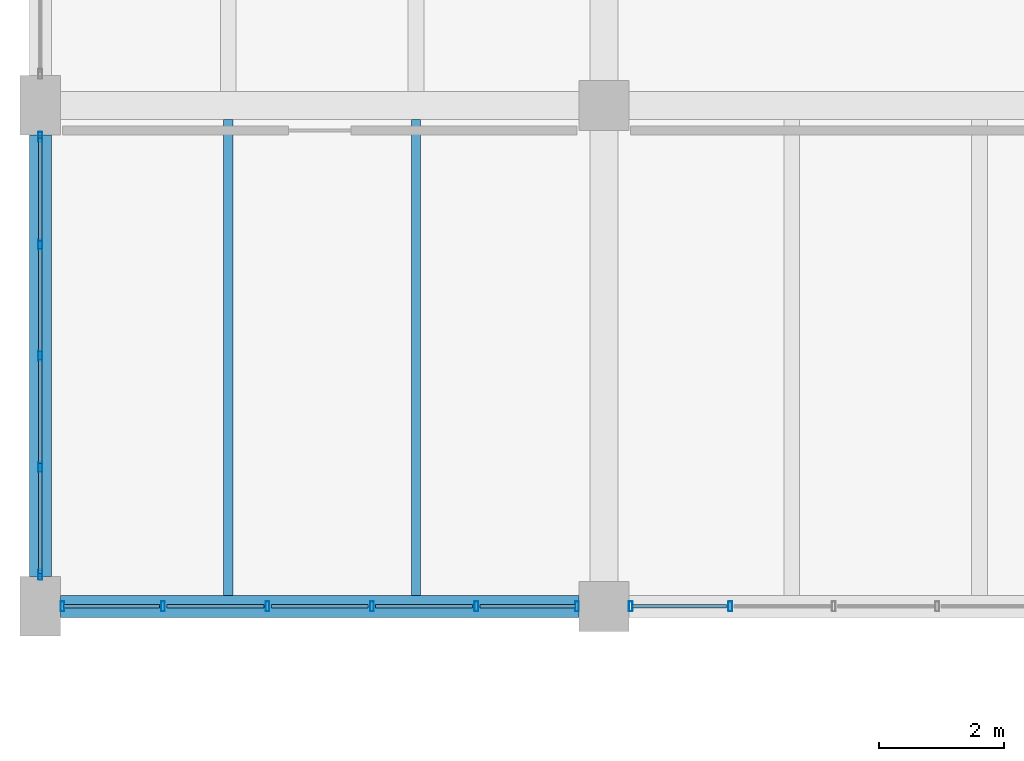
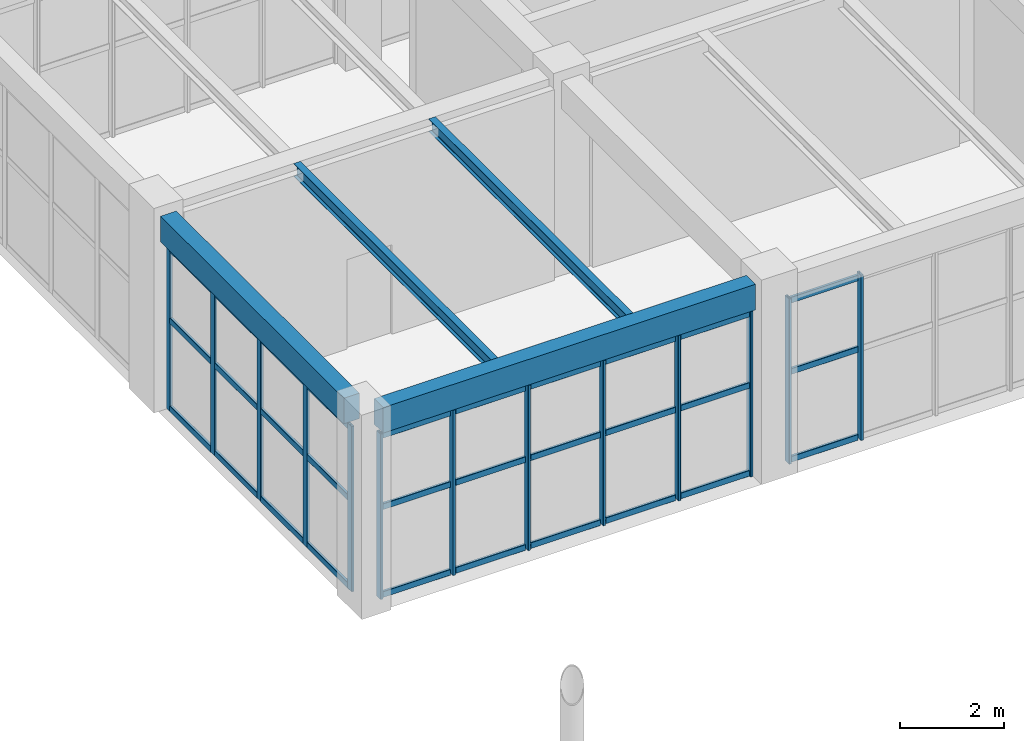
# One storey, part 80 of 178: 43 members, 4 beams, 3 elements without a shape of their own.
"""IFC4 building model written with IfcOpenShell, lengths in metres."""

from ifc_helpers import new_model, si_unit, derived_unit, direction, frame, origin, origin_2d, place, context, subcontext, project, spatial, rectangle, hollow_rectangle, i_section, extrude, material, material_profile, profile_set, type_object, element, aggregate, save


model = new_model("IFC4")

# Units and contexts
model_context = context("Model", 3, precision=1e-05, world=origin(), true_north=direction((0.0, 1.0)))
body_context = subcontext(model_context, "Body", "Model", "MODEL_VIEW")
ifc_project = project(units=[si_unit("LENGTHUNIT", "METRE"), si_unit("AREAUNIT", "SQUARE_METRE"), si_unit("VOLUMEUNIT", "CUBIC_METRE"), si_unit("PLANEANGLEUNIT", "RADIAN"), si_unit("MASSUNIT", "GRAM", prefix="KILO"), derived_unit("THERMALTRANSMITTANCEUNIT", [(si_unit("MASSUNIT", "GRAM", prefix="KILO"), 1), (si_unit("TIMEUNIT", "SECOND"), -3), (si_unit("THERMODYNAMICTEMPERATUREUNIT", "KELVIN"), -1)])], contexts=[model_context])

# Site, building, storey
site_placement = place(None, origin())
site = spatial("IfcSite", under=ifc_project, at=site_placement, CompositionType="ELEMENT")
building_placement = place(site_placement, origin())
building = spatial("IfcBuilding", under=site, at=building_placement, Name="Zhenchuan Archway Interchange", CompositionType="ELEMENT")
storey_placement = place(building_placement, frame((0.0, 0.0, 5.39990234375)))
storey = spatial("IfcBuildingStorey", under=building, at=storey_placement, Name="L01", CompositionType="ELEMENT", Elevation=5.39990234375)

# Curtain wall, members
ifc_material_1 = material(Name="Anodised Aluminium", Category="aluminium")
curtain_wall_type_1 = type_object("IfcCurtainWallType", Name="CW_UNIT_2", PredefinedType="NOTDEFINED", material=ifc_material_1)
curtain_wall_1_placement = place(storey_placement, origin())
curtain_wall_1 = element("IfcCurtainWall", 1, at=curtain_wall_1_placement, inside=storey, type_object=curtain_wall_type_1, Name="Unitised curtain wall CW:L01:041", PredefinedType="NOTDEFINED")
ifc_material_profile_1 = material_profile(ifc_material_1, hollow_rectangle(XDim=0.06005859375, YDim=0.159912109375, WallThickness=0.00390625, InnerFilletRadius=0.00390625, OuterFilletRadius=0.008056640625, at=origin_2d()), Name="ALU 160x60x4")
ifc_profile_set_1 = profile_set([ifc_material_profile_1], Name="Anodised Aluminium")
member_type_1 = type_object("IfcMemberType", Name="CW_MUL_150", PredefinedType="MULLION", material=ifc_profile_set_1)
member_1_placement = place(storey_placement, frame((11.020751953125, 96.0, 0.0), z_axis=(0.0, 0.0, 1.0), x_axis=(1.0, 0.0, 0.0)))
member_1 = element("IfcMember", 2, at=member_1_placement, type_object=member_type_1, Name="CW:L01:041 mullion 4", PredefinedType="MULLION", context=body_context, shape_type="SweptSolid", body=[
    extrude(hollow_rectangle(XDim=0.06005859375, YDim=0.159912109375, WallThickness=0.00390625, InnerFilletRadius=0.00390625, OuterFilletRadius=0.008056640625, at=origin_2d()), origin(), (0.0, 0.0, 1.0), 3.880126953125),
])
member_2_placement = place(storey_placement, frame((9.427978515625, 96.0, 0.0), z_axis=(0.0, 0.0, 1.0), x_axis=(1.0, 0.0, 0.0)))
member_2 = element("IfcMember", 3, at=member_2_placement, type_object=member_type_1, Name="CW:L01:041 mullion 5", PredefinedType="MULLION", context=body_context, shape_type="SweptSolid", body=[
    extrude(hollow_rectangle(XDim=0.06005859375, YDim=0.159912109375, WallThickness=0.00390625, InnerFilletRadius=0.00390625, OuterFilletRadius=0.008056640625, at=origin_2d()), origin(), (0.0, 0.0, 1.0), 3.880126953125),
])

curtain_wall_type_2 = type_object("IfcCurtainWallType", Name="CW_UNIT_3", PredefinedType="NOTDEFINED", material=ifc_material_1)
curtain_wall_2_placement = place(storey_placement, origin())
curtain_wall_2 = element("IfcCurtainWall", 4, at=curtain_wall_2_placement, inside=storey, type_object=curtain_wall_type_2, Name="Unitised curtain wall CW:L01:042", PredefinedType="NOTDEFINED")
member_3_placement = place(storey_placement, frame((8.572021484375, 96.0, 0.0), z_axis=(0.0, 0.0, 1.0), x_axis=(1.0, 0.0, 0.0)))
member_3 = element("IfcMember", 5, at=member_3_placement, type_object=member_type_1, Name="CW:L01:042 mullion 0", PredefinedType="MULLION", context=body_context, shape_type="SweptSolid", body=[
    extrude(hollow_rectangle(XDim=0.06005859375, YDim=0.159912109375, WallThickness=0.00390625, InnerFilletRadius=0.00390625, OuterFilletRadius=0.008056640625, at=origin_2d()), origin(), (0.0, 0.0, 1.0), 3.880126953125),
])
member_4_placement = place(storey_placement, frame((6.964111328125, 96.0, 0.0), z_axis=(0.0, 0.0, 1.0), x_axis=(1.0, 0.0, 0.0)))
member_4 = element("IfcMember", 6, at=member_4_placement, type_object=member_type_1, Name="CW:L01:042 mullion 1", PredefinedType="MULLION", context=body_context, shape_type="SweptSolid", body=[
    extrude(hollow_rectangle(XDim=0.06005859375, YDim=0.159912109375, WallThickness=0.00390625, InnerFilletRadius=0.00390625, OuterFilletRadius=0.008056640625, at=origin_2d()), origin(), (0.0, 0.0, 1.0), 3.880126953125),
])
member_5_placement = place(storey_placement, frame((5.29638671875, 96.0, 0.0), z_axis=(0.0, 0.0, 1.0), x_axis=(1.0, 0.0, 0.0)))
member_5 = element("IfcMember", 7, at=member_5_placement, type_object=member_type_1, Name="CW:L01:042 mullion 2", PredefinedType="MULLION", context=body_context, shape_type="SweptSolid", body=[
    extrude(hollow_rectangle(XDim=0.06005859375, YDim=0.159912109375, WallThickness=0.00390625, InnerFilletRadius=0.00390625, OuterFilletRadius=0.008056640625, at=origin_2d()), origin(), (0.0, 0.0, 1.0), 3.880126953125),
])
member_6_placement = place(storey_placement, frame((3.628662109375, 96.0, 0.0), z_axis=(0.0, 0.0, 1.0), x_axis=(1.0, 0.0, 0.0)))
member_6 = element("IfcMember", 8, at=member_6_placement, type_object=member_type_1, Name="CW:L01:042 mullion 3", PredefinedType="MULLION", context=body_context, shape_type="SweptSolid", body=[
    extrude(hollow_rectangle(XDim=0.06005859375, YDim=0.159912109375, WallThickness=0.00390625, InnerFilletRadius=0.00390625, OuterFilletRadius=0.008056640625, at=origin_2d()), origin(), (0.0, 0.0, 1.0), 3.880126953125),
])
member_7_placement = place(storey_placement, frame((1.960693359375, 96.0, 0.0), z_axis=(0.0, 0.0, 1.0), x_axis=(1.0, 0.0, 0.0)))
member_7 = element("IfcMember", 9, at=member_7_placement, type_object=member_type_1, Name="CW:L01:042 mullion 4", PredefinedType="MULLION", context=body_context, shape_type="SweptSolid", body=[
    extrude(hollow_rectangle(XDim=0.06005859375, YDim=0.159912109375, WallThickness=0.00390625, InnerFilletRadius=0.00390625, OuterFilletRadius=0.008056640625, at=origin_2d()), origin(), (0.0, 0.0, 1.0), 3.880126953125),
])
member_8_placement = place(storey_placement, frame((0.35302734375, 96.0, 0.0), z_axis=(0.0, 0.0, 1.0), x_axis=(1.0, 0.0, 0.0)))
member_8 = element("IfcMember", 10, at=member_8_placement, type_object=member_type_1, Name="CW:L01:042 mullion 5", PredefinedType="MULLION", context=body_context, shape_type="SweptSolid", body=[
    extrude(hollow_rectangle(XDim=0.06005859375, YDim=0.159912109375, WallThickness=0.00390625, InnerFilletRadius=0.00390625, OuterFilletRadius=0.008056640625, at=origin_2d()), origin(), (0.0, 0.0, 1.0), 3.880126953125),
])

curtain_wall_type_3 = type_object("IfcCurtainWallType", Name="CW_UNIT_4", PredefinedType="NOTDEFINED", material=ifc_material_1)
curtain_wall_3_placement = place(storey_placement, origin())
curtain_wall_3 = element("IfcCurtainWall", 11, at=curtain_wall_3_placement, inside=storey, type_object=curtain_wall_type_3, Name="Unitised curtain wall CW:L01:043", PredefinedType="NOTDEFINED")
member_9_placement = place(storey_placement, frame((0.0, 96.5029296875, 0.0), z_axis=(0.0, 0.0, 1.0), x_axis=(1.0, 0.0, 0.0)))
member_9 = element("IfcMember", 12, at=member_9_placement, type_object=member_type_1, Name="CW:L01:043 mullion 0", PredefinedType="MULLION", context=body_context, shape_type="SweptSolid", body=[
    extrude(hollow_rectangle(XDim=0.06005859375, YDim=0.159912109375, WallThickness=0.00390625, InnerFilletRadius=0.00390625, OuterFilletRadius=0.008056640625, at=origin_2d()), origin(), (0.0, 0.0, 1.0), 3.880126953125),
])
member_10_placement = place(storey_placement, frame((0.0, 98.221435546875, 0.0), z_axis=(0.0, 0.0, 1.0), x_axis=(1.0, 0.0, 0.0)))
member_10 = element("IfcMember", 13, at=member_10_placement, type_object=member_type_1, Name="CW:L01:043 mullion 1", PredefinedType="MULLION", context=body_context, shape_type="SweptSolid", body=[
    extrude(hollow_rectangle(XDim=0.06005859375, YDim=0.159912109375, WallThickness=0.00390625, InnerFilletRadius=0.00390625, OuterFilletRadius=0.008056640625, at=origin_2d()), origin(), (0.0, 0.0, 1.0), 3.880126953125),
])
member_11_placement = place(storey_placement, frame((0.0, 100.0, 0.0), z_axis=(0.0, 0.0, 1.0), x_axis=(1.0, 0.0, 0.0)))
member_11 = element("IfcMember", 14, at=member_11_placement, type_object=member_type_1, Name="CW:L01:043 mullion 2", PredefinedType="MULLION", context=body_context, shape_type="SweptSolid", body=[
    extrude(hollow_rectangle(XDim=0.06005859375, YDim=0.159912109375, WallThickness=0.00390625, InnerFilletRadius=0.00390625, OuterFilletRadius=0.008056640625, at=origin_2d()), origin(), (0.0, 0.0, 1.0), 3.880126953125),
])
member_12_placement = place(storey_placement, frame((0.0, 101.778564453125, 0.0), z_axis=(0.0, 0.0, 1.0), x_axis=(1.0, 0.0, 0.0)))
member_12 = element("IfcMember", 15, at=member_12_placement, type_object=member_type_1, Name="CW:L01:043 mullion 3", PredefinedType="MULLION", context=body_context, shape_type="SweptSolid", body=[
    extrude(hollow_rectangle(XDim=0.06005859375, YDim=0.159912109375, WallThickness=0.00390625, InnerFilletRadius=0.00390625, OuterFilletRadius=0.008056640625, at=origin_2d()), origin(), (0.0, 0.0, 1.0), 3.880126953125),
])
member_13_placement = place(storey_placement, frame((0.0, 103.4970703125, 0.0), z_axis=(0.0, 0.0, 1.0), x_axis=(1.0, 0.0, 0.0)))
member_13 = element("IfcMember", 16, at=member_13_placement, type_object=member_type_1, Name="CW:L01:043 mullion 4", PredefinedType="MULLION", context=body_context, shape_type="SweptSolid", body=[
    extrude(hollow_rectangle(XDim=0.06005859375, YDim=0.159912109375, WallThickness=0.00390625, InnerFilletRadius=0.00390625, OuterFilletRadius=0.008056640625, at=origin_2d()), origin(), (0.0, 0.0, 1.0), 3.880126953125),
])

# Member
ifc_material_profile_2 = material_profile(ifc_material_1, hollow_rectangle(XDim=0.06005859375, YDim=0.139892578125, WallThickness=0.00341796875, InnerFilletRadius=0.00341796875, OuterFilletRadius=0.007080078125, at=origin_2d()), Name="ALU 140x60x3.5")
ifc_profile_set_2 = profile_set([ifc_material_profile_2], Name="Anodised Aluminium")
member_type_2 = type_object("IfcMemberType", Name="CW_TRN_140", PredefinedType="USERDEFINED", material=ifc_profile_set_2)
member_14_placement = place(storey_placement, frame((10.960693359375, 96.0, 0.06005859375), z_axis=(-1.0, 0.0, 0.0), x_axis=(0.0, -1.0, 0.0)))
member_14 = element("IfcMember", 17, at=member_14_placement, type_object=member_type_2, Name="CW:L01:041 transom 4-1", ObjectType="TRANSOM", PredefinedType="USERDEFINED", context=body_context, shape_type="SweptSolid", body=[
    extrude(hollow_rectangle(XDim=0.06005859375, YDim=0.139892578125, WallThickness=0.00341796875, InnerFilletRadius=0.00341796875, OuterFilletRadius=0.007080078125, at=origin_2d()), origin(), (0.0, 0.0, 1.0), 1.5126953125),
])

member_15_placement = place(storey_placement, frame((10.960693359375, 96.0, 2.123046875), z_axis=(-1.0, 0.0, 0.0), x_axis=(0.0, -1.0, 0.0)))
member_15 = element("IfcMember", 18, at=member_15_placement, type_object=member_type_2, Name="CW:L01:041 transom 4-2", ObjectType="TRANSOM", PredefinedType="USERDEFINED", context=body_context, shape_type="SweptSolid", body=[
    extrude(hollow_rectangle(XDim=0.06005859375, YDim=0.139892578125, WallThickness=0.00341796875, InnerFilletRadius=0.00341796875, OuterFilletRadius=0.007080078125, at=origin_2d()), origin(), (0.0, 0.0, 1.0), 1.5126953125),
])

member_16_placement = place(storey_placement, frame((10.960693359375, 96.0, 3.800048828125), z_axis=(-1.0, 0.0, 0.0), x_axis=(0.0, -1.0, 0.0)))
member_16 = element("IfcMember", 19, at=member_16_placement, type_object=member_type_2, Name="CW:L01:041 transom 4-3", ObjectType="TRANSOM", PredefinedType="USERDEFINED", context=body_context, shape_type="SweptSolid", body=[
    extrude(hollow_rectangle(XDim=0.06005859375, YDim=0.139892578125, WallThickness=0.00341796875, InnerFilletRadius=0.00341796875, OuterFilletRadius=0.007080078125, at=origin_2d()), origin(), (0.0, 0.0, 1.0), 1.5126953125),
])

aggregate(curtain_wall_1, [member_1, member_2, member_14, member_15, member_16])

member_17_placement = place(storey_placement, frame((8.552001953125, 96.0, 0.06005859375), z_axis=(-1.0, 0.0, 0.0), x_axis=(0.0, -1.0, 0.0)))
member_17 = element("IfcMember", 20, at=member_17_placement, type_object=member_type_2, Name="CW:L01:042 transom 0-1", ObjectType="TRANSOM", PredefinedType="USERDEFINED", context=body_context, shape_type="SweptSolid", body=[
    extrude(hollow_rectangle(XDim=0.06005859375, YDim=0.139892578125, WallThickness=0.00341796875, InnerFilletRadius=0.00341796875, OuterFilletRadius=0.007080078125, at=origin_2d()), origin(), (0.0, 0.0, 1.0), 1.52783203125),
])

member_18_placement = place(storey_placement, frame((8.552001953125, 96.0, 2.123046875), z_axis=(-1.0, 0.0, 0.0), x_axis=(0.0, -1.0, 0.0)))
member_18 = element("IfcMember", 21, at=member_18_placement, type_object=member_type_2, Name="CW:L01:042 transom 0-2", ObjectType="TRANSOM", PredefinedType="USERDEFINED", context=body_context, shape_type="SweptSolid", body=[
    extrude(hollow_rectangle(XDim=0.06005859375, YDim=0.139892578125, WallThickness=0.00341796875, InnerFilletRadius=0.00341796875, OuterFilletRadius=0.007080078125, at=origin_2d()), origin(), (0.0, 0.0, 1.0), 1.52783203125),
])

member_19_placement = place(storey_placement, frame((8.552001953125, 96.0, 3.800048828125), z_axis=(-1.0, 0.0, 0.0), x_axis=(0.0, -1.0, 0.0)))
member_19 = element("IfcMember", 22, at=member_19_placement, type_object=member_type_2, Name="CW:L01:042 transom 0-3", ObjectType="TRANSOM", PredefinedType="USERDEFINED", context=body_context, shape_type="SweptSolid", body=[
    extrude(hollow_rectangle(XDim=0.06005859375, YDim=0.139892578125, WallThickness=0.00341796875, InnerFilletRadius=0.00341796875, OuterFilletRadius=0.007080078125, at=origin_2d()), origin(), (0.0, 0.0, 1.0), 1.52783203125),
])

member_20_placement = place(storey_placement, frame((6.904296875, 96.0, 0.06005859375), z_axis=(-1.0, 0.0, 0.0), x_axis=(0.0, -1.0, 0.0)))
member_20 = element("IfcMember", 23, at=member_20_placement, type_object=member_type_2, Name="CW:L01:042 transom 1-1", ObjectType="TRANSOM", PredefinedType="USERDEFINED", context=body_context, shape_type="SweptSolid", body=[
    extrude(hollow_rectangle(XDim=0.06005859375, YDim=0.139892578125, WallThickness=0.00341796875, InnerFilletRadius=0.00341796875, OuterFilletRadius=0.007080078125, at=origin_2d()), origin(), (0.0, 0.0, 1.0), 1.5478515625),
])

member_21_placement = place(storey_placement, frame((6.904296875, 96.0, 2.123046875), z_axis=(-1.0, 0.0, 0.0), x_axis=(0.0, -1.0, 0.0)))
member_21 = element("IfcMember", 24, at=member_21_placement, type_object=member_type_2, Name="CW:L01:042 transom 1-2", ObjectType="TRANSOM", PredefinedType="USERDEFINED", context=body_context, shape_type="SweptSolid", body=[
    extrude(hollow_rectangle(XDim=0.06005859375, YDim=0.139892578125, WallThickness=0.00341796875, InnerFilletRadius=0.00341796875, OuterFilletRadius=0.007080078125, at=origin_2d()), origin(), (0.0, 0.0, 1.0), 1.5478515625),
])

member_22_placement = place(storey_placement, frame((6.904296875, 96.0, 3.800048828125), z_axis=(-1.0, 0.0, 0.0), x_axis=(0.0, -1.0, 0.0)))
member_22 = element("IfcMember", 25, at=member_22_placement, type_object=member_type_2, Name="CW:L01:042 transom 1-3", ObjectType="TRANSOM", PredefinedType="USERDEFINED", context=body_context, shape_type="SweptSolid", body=[
    extrude(hollow_rectangle(XDim=0.06005859375, YDim=0.139892578125, WallThickness=0.00341796875, InnerFilletRadius=0.00341796875, OuterFilletRadius=0.007080078125, at=origin_2d()), origin(), (0.0, 0.0, 1.0), 1.5478515625),
])

member_23_placement = place(storey_placement, frame((5.236328125, 96.0, 0.06005859375), z_axis=(-1.0, 0.0, 0.0), x_axis=(0.0, -1.0, 0.0)))
member_23 = element("IfcMember", 26, at=member_23_placement, type_object=member_type_2, Name="CW:L01:042 transom 2-1", ObjectType="TRANSOM", PredefinedType="USERDEFINED", context=body_context, shape_type="SweptSolid", body=[
    extrude(hollow_rectangle(XDim=0.06005859375, YDim=0.139892578125, WallThickness=0.00341796875, InnerFilletRadius=0.00341796875, OuterFilletRadius=0.007080078125, at=origin_2d()), origin(), (0.0, 0.0, 1.0), 1.547607421875),
])

member_24_placement = place(storey_placement, frame((5.236328125, 96.0, 2.123046875), z_axis=(-1.0, 0.0, 0.0), x_axis=(0.0, -1.0, 0.0)))
member_24 = element("IfcMember", 27, at=member_24_placement, type_object=member_type_2, Name="CW:L01:042 transom 2-2", ObjectType="TRANSOM", PredefinedType="USERDEFINED", context=body_context, shape_type="SweptSolid", body=[
    extrude(hollow_rectangle(XDim=0.06005859375, YDim=0.139892578125, WallThickness=0.00341796875, InnerFilletRadius=0.00341796875, OuterFilletRadius=0.007080078125, at=origin_2d()), origin(), (0.0, 0.0, 1.0), 1.547607421875),
])

member_25_placement = place(storey_placement, frame((5.236328125, 96.0, 3.800048828125), z_axis=(-1.0, 0.0, 0.0), x_axis=(0.0, -1.0, 0.0)))
member_25 = element("IfcMember", 28, at=member_25_placement, type_object=member_type_2, Name="CW:L01:042 transom 2-3", ObjectType="TRANSOM", PredefinedType="USERDEFINED", context=body_context, shape_type="SweptSolid", body=[
    extrude(hollow_rectangle(XDim=0.06005859375, YDim=0.139892578125, WallThickness=0.00341796875, InnerFilletRadius=0.00341796875, OuterFilletRadius=0.007080078125, at=origin_2d()), origin(), (0.0, 0.0, 1.0), 1.547607421875),
])

member_26_placement = place(storey_placement, frame((3.568603515625, 96.0, 0.06005859375), z_axis=(-1.0, 0.0, 0.0), x_axis=(0.0, -1.0, 0.0)))
member_26 = element("IfcMember", 29, at=member_26_placement, type_object=member_type_2, Name="CW:L01:042 transom 3-1", ObjectType="TRANSOM", PredefinedType="USERDEFINED", context=body_context, shape_type="SweptSolid", body=[
    extrude(hollow_rectangle(XDim=0.06005859375, YDim=0.139892578125, WallThickness=0.00341796875, InnerFilletRadius=0.00341796875, OuterFilletRadius=0.007080078125, at=origin_2d()), origin(), (0.0, 0.0, 1.0), 1.5478515625),
])

member_27_placement = place(storey_placement, frame((3.568603515625, 96.0, 2.123046875), z_axis=(-1.0, 0.0, 0.0), x_axis=(0.0, -1.0, 0.0)))
member_27 = element("IfcMember", 30, at=member_27_placement, type_object=member_type_2, Name="CW:L01:042 transom 3-2", ObjectType="TRANSOM", PredefinedType="USERDEFINED", context=body_context, shape_type="SweptSolid", body=[
    extrude(hollow_rectangle(XDim=0.06005859375, YDim=0.139892578125, WallThickness=0.00341796875, InnerFilletRadius=0.00341796875, OuterFilletRadius=0.007080078125, at=origin_2d()), origin(), (0.0, 0.0, 1.0), 1.5478515625),
])

member_28_placement = place(storey_placement, frame((3.568603515625, 96.0, 3.800048828125), z_axis=(-1.0, 0.0, 0.0), x_axis=(0.0, -1.0, 0.0)))
member_28 = element("IfcMember", 31, at=member_28_placement, type_object=member_type_2, Name="CW:L01:042 transom 3-3", ObjectType="TRANSOM", PredefinedType="USERDEFINED", context=body_context, shape_type="SweptSolid", body=[
    extrude(hollow_rectangle(XDim=0.06005859375, YDim=0.139892578125, WallThickness=0.00341796875, InnerFilletRadius=0.00341796875, OuterFilletRadius=0.007080078125, at=origin_2d()), origin(), (0.0, 0.0, 1.0), 1.5478515625),
])

member_29_placement = place(storey_placement, frame((1.90087890625, 96.0, 0.06005859375), z_axis=(-1.0, 0.0, 0.0), x_axis=(0.0, -1.0, 0.0)))
member_29 = element("IfcMember", 32, at=member_29_placement, type_object=member_type_2, Name="CW:L01:042 transom 4-1", ObjectType="TRANSOM", PredefinedType="USERDEFINED", context=body_context, shape_type="SweptSolid", body=[
    extrude(hollow_rectangle(XDim=0.06005859375, YDim=0.139892578125, WallThickness=0.00341796875, InnerFilletRadius=0.00341796875, OuterFilletRadius=0.007080078125, at=origin_2d()), origin(), (0.0, 0.0, 1.0), 1.52783203125),
])

member_30_placement = place(storey_placement, frame((1.90087890625, 96.0, 2.123046875), z_axis=(-1.0, 0.0, 0.0), x_axis=(0.0, -1.0, 0.0)))
member_30 = element("IfcMember", 33, at=member_30_placement, type_object=member_type_2, Name="CW:L01:042 transom 4-2", ObjectType="TRANSOM", PredefinedType="USERDEFINED", context=body_context, shape_type="SweptSolid", body=[
    extrude(hollow_rectangle(XDim=0.06005859375, YDim=0.139892578125, WallThickness=0.00341796875, InnerFilletRadius=0.00341796875, OuterFilletRadius=0.007080078125, at=origin_2d()), origin(), (0.0, 0.0, 1.0), 1.52783203125),
])

member_31_placement = place(storey_placement, frame((1.90087890625, 96.0, 3.800048828125), z_axis=(-1.0, 0.0, 0.0), x_axis=(0.0, -1.0, 0.0)))
member_31 = element("IfcMember", 34, at=member_31_placement, type_object=member_type_2, Name="CW:L01:042 transom 4-3", ObjectType="TRANSOM", PredefinedType="USERDEFINED", context=body_context, shape_type="SweptSolid", body=[
    extrude(hollow_rectangle(XDim=0.06005859375, YDim=0.139892578125, WallThickness=0.00341796875, InnerFilletRadius=0.00341796875, OuterFilletRadius=0.007080078125, at=origin_2d()), origin(), (0.0, 0.0, 1.0), 1.52783203125),
])

aggregate(curtain_wall_2, [member_3, member_4, member_5, member_6, member_7, member_8, member_17, member_18, member_19, member_20, member_21, member_22, member_23, member_24, member_25, member_26, member_27, member_28, member_29, member_30, member_31])

member_32_placement = place(storey_placement, frame((0.0, 96.52294921875, 0.06005859375), z_axis=(0.0, 1.0, 0.0), x_axis=(-1.0, 0.0, 0.0)))
member_32 = element("IfcMember", 35, at=member_32_placement, type_object=member_type_2, Name="CW:L01:043 transom 0-1", ObjectType="TRANSOM", PredefinedType="USERDEFINED", context=body_context, shape_type="SweptSolid", body=[
    extrude(hollow_rectangle(XDim=0.06005859375, YDim=0.139892578125, WallThickness=0.00341796875, InnerFilletRadius=0.00341796875, OuterFilletRadius=0.007080078125, at=origin_2d()), origin(), (0.0, 0.0, 1.0), 1.638671875),
])

member_33_placement = place(storey_placement, frame((0.0, 96.52294921875, 2.123046875), z_axis=(0.0, 1.0, 0.0), x_axis=(-1.0, 0.0, 0.0)))
member_33 = element("IfcMember", 36, at=member_33_placement, type_object=member_type_2, Name="CW:L01:043 transom 0-2", ObjectType="TRANSOM", PredefinedType="USERDEFINED", context=body_context, shape_type="SweptSolid", body=[
    extrude(hollow_rectangle(XDim=0.06005859375, YDim=0.139892578125, WallThickness=0.00341796875, InnerFilletRadius=0.00341796875, OuterFilletRadius=0.007080078125, at=origin_2d()), origin(), (0.0, 0.0, 1.0), 1.638671875),
])

member_34_placement = place(storey_placement, frame((0.0, 96.52294921875, 3.800048828125), z_axis=(0.0, 1.0, 0.0), x_axis=(-1.0, 0.0, 0.0)))
member_34 = element("IfcMember", 37, at=member_34_placement, type_object=member_type_2, Name="CW:L01:043 transom 0-3", ObjectType="TRANSOM", PredefinedType="USERDEFINED", context=body_context, shape_type="SweptSolid", body=[
    extrude(hollow_rectangle(XDim=0.06005859375, YDim=0.139892578125, WallThickness=0.00341796875, InnerFilletRadius=0.00341796875, OuterFilletRadius=0.007080078125, at=origin_2d()), origin(), (0.0, 0.0, 1.0), 1.638671875),
])

member_35_placement = place(storey_placement, frame((0.0, 98.281494140625, 0.06005859375), z_axis=(0.0, 1.0, 0.0), x_axis=(-1.0, 0.0, 0.0)))
member_35 = element("IfcMember", 38, at=member_35_placement, type_object=member_type_2, Name="CW:L01:043 transom 1-1", ObjectType="TRANSOM", PredefinedType="USERDEFINED", context=body_context, shape_type="SweptSolid", body=[
    extrude(hollow_rectangle(XDim=0.06005859375, YDim=0.139892578125, WallThickness=0.00341796875, InnerFilletRadius=0.00341796875, OuterFilletRadius=0.007080078125, at=origin_2d()), origin(), (0.0, 0.0, 1.0), 1.658447265625),
])

member_36_placement = place(storey_placement, frame((0.0, 98.281494140625, 2.123046875), z_axis=(0.0, 1.0, 0.0), x_axis=(-1.0, 0.0, 0.0)))
member_36 = element("IfcMember", 39, at=member_36_placement, type_object=member_type_2, Name="CW:L01:043 transom 1-2", ObjectType="TRANSOM", PredefinedType="USERDEFINED", context=body_context, shape_type="SweptSolid", body=[
    extrude(hollow_rectangle(XDim=0.06005859375, YDim=0.139892578125, WallThickness=0.00341796875, InnerFilletRadius=0.00341796875, OuterFilletRadius=0.007080078125, at=origin_2d()), origin(), (0.0, 0.0, 1.0), 1.658447265625),
])

member_37_placement = place(storey_placement, frame((0.0, 98.281494140625, 3.800048828125), z_axis=(0.0, 1.0, 0.0), x_axis=(-1.0, 0.0, 0.0)))
member_37 = element("IfcMember", 40, at=member_37_placement, type_object=member_type_2, Name="CW:L01:043 transom 1-3", ObjectType="TRANSOM", PredefinedType="USERDEFINED", context=body_context, shape_type="SweptSolid", body=[
    extrude(hollow_rectangle(XDim=0.06005859375, YDim=0.139892578125, WallThickness=0.00341796875, InnerFilletRadius=0.00341796875, OuterFilletRadius=0.007080078125, at=origin_2d()), origin(), (0.0, 0.0, 1.0), 1.658447265625),
])

member_38_placement = place(storey_placement, frame((0.0, 100.06005859375, 0.06005859375), z_axis=(0.0, 1.0, 0.0), x_axis=(-1.0, 0.0, 0.0)))
member_38 = element("IfcMember", 41, at=member_38_placement, type_object=member_type_2, Name="CW:L01:043 transom 2-1", ObjectType="TRANSOM", PredefinedType="USERDEFINED", context=body_context, shape_type="SweptSolid", body=[
    extrude(hollow_rectangle(XDim=0.06005859375, YDim=0.139892578125, WallThickness=0.00341796875, InnerFilletRadius=0.00341796875, OuterFilletRadius=0.007080078125, at=origin_2d()), origin(), (0.0, 0.0, 1.0), 1.658447265625),
])

member_39_placement = place(storey_placement, frame((0.0, 100.06005859375, 2.123046875), z_axis=(0.0, 1.0, 0.0), x_axis=(-1.0, 0.0, 0.0)))
member_39 = element("IfcMember", 42, at=member_39_placement, type_object=member_type_2, Name="CW:L01:043 transom 2-2", ObjectType="TRANSOM", PredefinedType="USERDEFINED", context=body_context, shape_type="SweptSolid", body=[
    extrude(hollow_rectangle(XDim=0.06005859375, YDim=0.139892578125, WallThickness=0.00341796875, InnerFilletRadius=0.00341796875, OuterFilletRadius=0.007080078125, at=origin_2d()), origin(), (0.0, 0.0, 1.0), 1.658447265625),
])

member_40_placement = place(storey_placement, frame((0.0, 100.06005859375, 3.800048828125), z_axis=(0.0, 1.0, 0.0), x_axis=(-1.0, 0.0, 0.0)))
member_40 = element("IfcMember", 43, at=member_40_placement, type_object=member_type_2, Name="CW:L01:043 transom 2-3", ObjectType="TRANSOM", PredefinedType="USERDEFINED", context=body_context, shape_type="SweptSolid", body=[
    extrude(hollow_rectangle(XDim=0.06005859375, YDim=0.139892578125, WallThickness=0.00341796875, InnerFilletRadius=0.00341796875, OuterFilletRadius=0.007080078125, at=origin_2d()), origin(), (0.0, 0.0, 1.0), 1.658447265625),
])

member_41_placement = place(storey_placement, frame((0.0, 101.83837890625, 0.06005859375), z_axis=(0.0, 1.0, 0.0), x_axis=(-1.0, 0.0, 0.0)))
member_41 = element("IfcMember", 44, at=member_41_placement, type_object=member_type_2, Name="CW:L01:043 transom 3-1", ObjectType="TRANSOM", PredefinedType="USERDEFINED", context=body_context, shape_type="SweptSolid", body=[
    extrude(hollow_rectangle(XDim=0.06005859375, YDim=0.139892578125, WallThickness=0.00341796875, InnerFilletRadius=0.00341796875, OuterFilletRadius=0.007080078125, at=origin_2d()), origin(), (0.0, 0.0, 1.0), 1.638671875),
])

member_42_placement = place(storey_placement, frame((0.0, 101.83837890625, 2.123046875), z_axis=(0.0, 1.0, 0.0), x_axis=(-1.0, 0.0, 0.0)))
member_42 = element("IfcMember", 45, at=member_42_placement, type_object=member_type_2, Name="CW:L01:043 transom 3-2", ObjectType="TRANSOM", PredefinedType="USERDEFINED", context=body_context, shape_type="SweptSolid", body=[
    extrude(hollow_rectangle(XDim=0.06005859375, YDim=0.139892578125, WallThickness=0.00341796875, InnerFilletRadius=0.00341796875, OuterFilletRadius=0.007080078125, at=origin_2d()), origin(), (0.0, 0.0, 1.0), 1.638671875),
])

member_43_placement = place(storey_placement, frame((0.0, 101.83837890625, 3.800048828125), z_axis=(0.0, 1.0, 0.0), x_axis=(-1.0, 0.0, 0.0)))
member_43 = element("IfcMember", 46, at=member_43_placement, type_object=member_type_2, Name="CW:L01:043 transom 3-3", ObjectType="TRANSOM", PredefinedType="USERDEFINED", context=body_context, shape_type="SweptSolid", body=[
    extrude(hollow_rectangle(XDim=0.06005859375, YDim=0.139892578125, WallThickness=0.00341796875, InnerFilletRadius=0.00341796875, OuterFilletRadius=0.007080078125, at=origin_2d()), origin(), (0.0, 0.0, 1.0), 1.638671875),
])

aggregate(curtain_wall_3, [member_9, member_10, member_11, member_12, member_13, member_32, member_33, member_34, member_35, member_36, member_37, member_38, member_39, member_40, member_41, member_42, member_43])

# Beams
ifc_material_2 = material(Name="Steel Q355", Category="steel")
ifc_material_profile_3 = material_profile(ifc_material_2, i_section(OverallWidth=0.14990234375, OverallDepth=0.300048828125, WebThickness=0.006591796875, FlangeThickness=0.009033203125, FilletRadius=0.012939453125, at=origin_2d()), Name="HN 300x150")
ifc_profile_set_3 = profile_set([ifc_material_profile_3], Name="Steel Q355")
beam_type_1 = type_object("IfcBeamType", Name="JST_STL_HN300", PredefinedType="JOIST", material=ifc_profile_set_3)
for number, where, z_axis, x_axis, name in (
    (47, (3.0, 96.175048828125, 4.420166015625), (0.0, 1.0, 0.0), (-1.0, 0.0, 0.0), "Secondary joist 1-2/N-O #1 (L01)"),
    (48, (6.0, 96.175048828125, 4.420166015625), (0.0, 1.0, 0.0), (-1.0, 0.0, 0.0), "Secondary joist 1-2/N-O #2 (L01)"),
):
    element("IfcBeam", number, at=place(storey_placement, frame(where, z_axis=z_axis, x_axis=x_axis)), inside=storey, type_object=beam_type_1, Name=name, PredefinedType="JOIST", context=body_context, shape_type="SweptSolid", body=[
        extrude(i_section(OverallWidth=0.14990234375, OverallDepth=0.300048828125, WebThickness=0.006591796875, FlangeThickness=0.009033203125, FilletRadius=0.012939453125, at=origin_2d()), origin(), (0.0, 0.0, 1.0), 7.599853515625),
    ])
ifc_material_3 = material(Name="Concrete C40", Category="concrete")
ifc_material_profile_4 = material_profile(ifc_material_3, rectangle(XDim=0.35009765625, YDim=0.60009765625, at=origin_2d()), Name="RC 350x600")
ifc_profile_set_4 = profile_set([ifc_material_profile_4], Name="Concrete C40")
beam_type_2 = type_object("IfcBeamType", Name="SP_RC_350x600", PredefinedType="SPANDREL", material=ifc_profile_set_4)
beam_1_placement = place(storey_placement, frame((0.324951171875, 96.0, 4.27001953125), z_axis=(1.0, 0.0, 0.0), x_axis=(0.0, 1.0, 0.0)))
element("IfcBeam", 49, at=beam_1_placement, inside=storey, type_object=beam_type_2, Name="Beam N:1-2 (L01)", PredefinedType="SPANDREL", context=body_context, shape_type="SweptSolid", body=[
    extrude(rectangle(XDim=0.35009765625, YDim=0.60009765625, at=origin_2d()), origin(), (0.0, 0.0, 1.0), 8.275146484375),
])
beam_2_placement = place(storey_placement, frame((0.0, 96.47509765625, 4.27001953125), z_axis=(0.0, 1.0, 0.0), x_axis=(-1.0, 0.0, 0.0)))
element("IfcBeam", 50, at=beam_2_placement, inside=storey, type_object=beam_type_2, Name="Beam 1:N-O (L01)", PredefinedType="SPANDREL", context=body_context, shape_type="SweptSolid", body=[
    extrude(rectangle(XDim=0.35009765625, YDim=0.60009765625, at=origin_2d()), origin(), (0.0, 0.0, 1.0), 7.0498046875),
])

save(model, "model.ifc")
